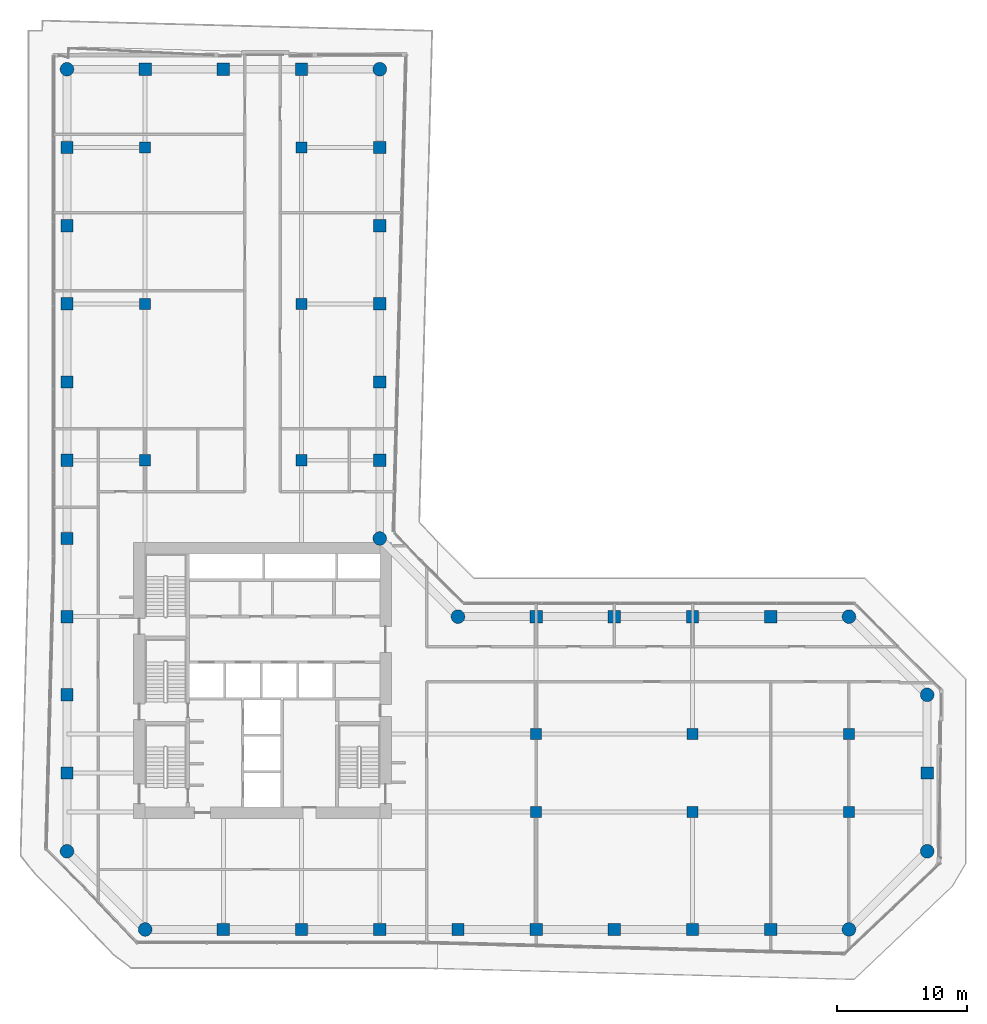
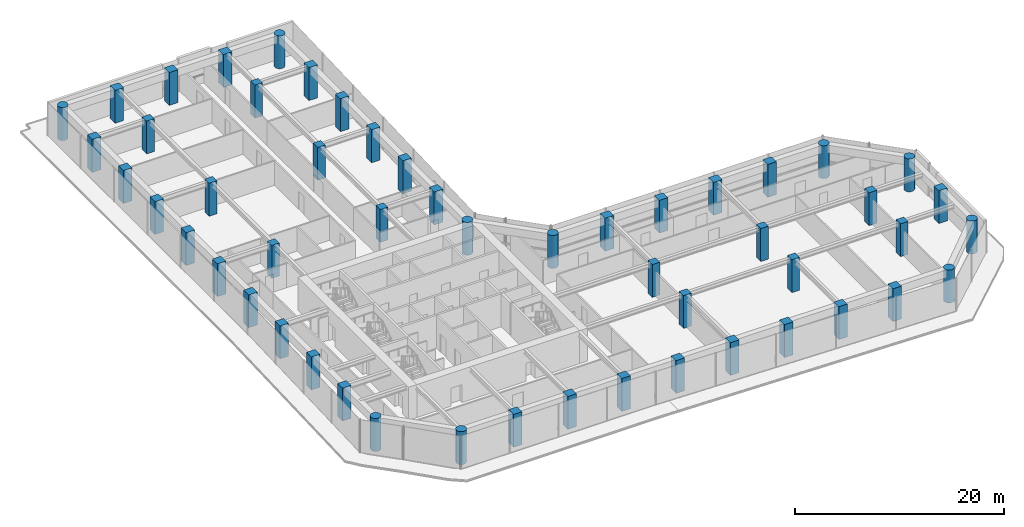
# One storey, part 1 of 28: 52 columns.
"""IFC4 building model written with IfcOpenShell, lengths in metres."""

import ifcopenshell
import ifcopenshell.guid

model = None  # the IFC model being written
_history = None  # IfcOwnerHistory: only IFC2X3 demands one
_inside = {}  # id of a spatial element -> (the spatial element, [elements in it])
_under = {}  # id of a project, library or spatial element -> (it, [spatial elements below it])
_declared = {}  # id of a project -> (the project, [libraries it declares])
_typed = {}  # id of a type object -> (the type object, [elements of that type])
_made_of = {}  # id of a material, layer set ... -> (it, [elements and type objects made of it])


def new_model(schema):
    """Start an empty IFC model of exactly this schema.

    Asked for "IFC4X3", IfcOpenShell would pick the latest addendum, in which some entities
    have other attributes; the version numbers below select the first issue.
    IFC2X3 requires an IfcOwnerHistory on every rooted entity: one is made here for all.
    """
    global model, _history
    if schema == "IFC4X3":
        model = ifcopenshell.file(schema_version=(4, 3, 0, 0))
    else:
        model = ifcopenshell.file(schema=schema)
    _inside.clear()
    _under.clear()
    _declared.clear()
    _typed.clear()
    _made_of.clear()
    _history = None
    if model.schema == "IFC2X3":
        org = make("IfcOrganization", Name="unknown")
        user = make(
            "IfcPersonAndOrganization",
            ThePerson=make("IfcPerson", FamilyName="unknown"),
            TheOrganization=org,
        )
        app = make(
            "IfcApplication",
            ApplicationDeveloper=org,
            Version="unknown",
            ApplicationFullName="unknown",
            ApplicationIdentifier="unknown",
        )
        _history = make(
            "IfcOwnerHistory",
            OwningUser=user,
            OwningApplication=app,
            ChangeAction="ADDED",
            CreationDate=0,
        )
    return model


def make(cls, **values):
    """One entity of the class cls with the attributes given. An attribute that is None is left unset."""
    return model.create_entity(
        cls, **{name: value for name, value in values.items() if value is not None}
    )


def rooted(cls, **values):
    """An entity with a GlobalId (a new one), such as an element, a storey or a relation."""
    return make(cls, GlobalId=ifcopenshell.guid.new(), OwnerHistory=_history, **values)


def si_unit(unit_type, name, prefix=None):
    """IfcSIUnit, for example si_unit("LENGTHUNIT", "METRE", prefix="MILLI")."""
    return make("IfcSIUnit", UnitType=unit_type, Prefix=prefix, Name=name)


def assignment(units):
    """IfcUnitAssignment: the units of a project."""
    return None if units is None else make("IfcUnitAssignment", Units=units)


def point(xyz):
    """IfcCartesianPoint."""
    return None if xyz is None else make("IfcCartesianPoint", Coordinates=xyz)


def direction(xyz):
    """IfcDirection."""
    return None if xyz is None else make("IfcDirection", DirectionRatios=xyz)


def frame(location, z_axis=None, x_axis=None):
    """IfcAxis2Placement3D, a coordinate frame: its origin and axes. An axis left out is left unset."""
    return make(
        "IfcAxis2Placement3D",
        Location=point(location),
        Axis=direction(z_axis),
        RefDirection=direction(x_axis),
    )


def frame_2d(location, x_axis=None):
    """IfcAxis2Placement2D, a coordinate frame in the plane: its origin and x axis."""
    return make(
        "IfcAxis2Placement2D", Location=point(location), RefDirection=direction(x_axis)
    )


def origin():
    """The frame at (0, 0, 0) with its axes left unset."""
    return frame((0.0, 0.0, 0.0))


def origin_2d():
    """The frame at (0, 0) in the plane with its x axis left unset."""
    return frame_2d((0.0, 0.0))


def place(relative_to, where):
    """IfcLocalPlacement: puts the frame where relative to a parent placement (None: the world)."""
    return make(
        "IfcLocalPlacement", PlacementRelTo=relative_to, RelativePlacement=where
    )


def context(
    kind, dimensions, precision=None, world=None, true_north=None, identifier=None
):
    """IfcGeometricRepresentationContext, for example the 3D "Model" context."""
    return make(
        "IfcGeometricRepresentationContext",
        ContextIdentifier=identifier,
        ContextType=kind,
        CoordinateSpaceDimension=dimensions,
        Precision=precision,
        WorldCoordinateSystem=world,
        TrueNorth=true_north,
    )


def subcontext(parent, identifier, kind, view, scale=None):
    """IfcGeometricRepresentationSubContext, for example "Body" below "Model"."""
    return make(
        "IfcGeometricRepresentationSubContext",
        ContextIdentifier=identifier,
        ContextType=kind,
        ParentContext=parent,
        TargetScale=scale,
        TargetView=view,
    )


def project(units=None, contexts=None):
    """IfcProject with its units and contexts."""
    return rooted(
        "IfcProject",
        Name="project",
        RepresentationContexts=contexts,
        UnitsInContext=assignment(units),
    )


def spatial(cls, under=None, at=None, **own):
    """A site, building, storey or space (cls), placed at a placement, below another one or the project."""
    s = rooted(cls, ObjectPlacement=at, **own)
    if under is not None:
        _under.setdefault(under.id(), (under, []))[1].append(s)
    return s


def profile(cls, at=None, kind="AREA", **sizes):
    """A parametric profile (cls). Its sizes go by their IFC names, for example OverallWidth=200.0."""
    return make(cls, ProfileType=kind, Position=at, **sizes)


def rectangle(**sizes):
    """IfcRectangleProfileDef."""
    return profile("IfcRectangleProfileDef", **sizes)


def circle(**sizes):
    """IfcCircleProfileDef."""
    return profile("IfcCircleProfileDef", **sizes)


def extrude(swept, where, along, depth):
    """IfcExtrudedAreaSolid: the profile swept, set in the frame where, extruded along a direction by depth."""
    return make(
        "IfcExtrudedAreaSolid",
        SweptArea=swept,
        Position=where,
        ExtrudedDirection=direction(along),
        Depth=depth,
    )


def shape(context_of_items, identifier, shape_type, items):
    """IfcShapeRepresentation: the items that make up one representation, for example the "Body"."""
    return make(
        "IfcShapeRepresentation",
        ContextOfItems=context_of_items,
        RepresentationIdentifier=identifier,
        RepresentationType=shape_type,
        Items=items,
    )


def material(Name=None, Category=None):
    """IfcMaterial."""
    return make("IfcMaterial", Name=Name, Category=Category)


def material_profile(
    of_material, cross_section, Name=None, Category=None, Priority=None
):
    """IfcMaterialProfile: a cross section and its material."""
    return make(
        "IfcMaterialProfile",
        Name=Name,
        Material=of_material,
        Profile=cross_section,
        Priority=Priority,
        Category=Category,
    )


def profile_set(profiles, Name=None, composite=None):
    """IfcMaterialProfileSet."""
    return make(
        "IfcMaterialProfileSet",
        Name=Name,
        MaterialProfiles=profiles,
        CompositeProfile=composite,
    )


def made_of(thing, what):
    """Note that an element or type object is made of a material, layer set ...; save() writes the relation."""
    if what is not None:
        _made_of.setdefault(what.id(), (what, []))[1].append(thing)
    return thing


def type_object(cls, material=None, **own):
    """A type object (cls), such as IfcWallType, which elements share."""
    return made_of(rooted(cls, **own), material)


def element(
    cls,
    number,
    at=None,
    inside=None,
    cuts=None,
    type_object=None,
    material=None,
    context=None,
    identifier="Body",
    shape_type=None,
    held_by="IfcProductDefinitionShape",
    body=None,
    shapes=None,
    **own,
):
    """One element of the class cls, such as IfcWall. Its Tag is "e" and its number.

    at: its placement. inside: the storey or other place that contains it. cuts: it is an
    opening in that element (IfcRelVoidsElement). A single representation is given by context,
    identifier, shape_type and body (its items); several are given by shapes. held_by: the class
    of the entity that holds the representations. save() writes the other relations.
    """
    e = rooted(cls, Tag="e%d" % number, ObjectPlacement=at, **own)
    if body is not None:
        shapes = [shape(context, identifier, shape_type, body)]
    if shapes is not None:
        e.Representation = make(held_by, Representations=shapes)
    if inside is not None:
        _inside.setdefault(inside.id(), (inside, []))[1].append(e)
    if cuts is not None:
        rooted(
            "IfcRelVoidsElement", RelatingBuildingElement=cuts, RelatedOpeningElement=e
        )
    if type_object is not None:
        _typed.setdefault(type_object.id(), (type_object, []))[1].append(e)
    return made_of(e, material)


def aggregate(whole, parts):
    """IfcRelAggregates: a whole, such as a stair, and the parts it consists of."""
    return rooted("IfcRelAggregates", RelatingObject=whole, RelatedObjects=parts)


def save(model, path):
    """Write the relations noted so far, then the file.

    IfcRelAggregates (storeys below a building ...), IfcRelContainedInSpatialStructure (elements
    in a storey), IfcRelDefinesByType, IfcRelAssociatesMaterial and IfcRelDeclares: one each for
    every whole, place, type object, material and project.
    """
    for whole, parts in _under.values():
        aggregate(whole, parts)
    for where, things in _inside.values():
        rooted(
            "IfcRelContainedInSpatialStructure",
            RelatedElements=things,
            RelatingStructure=where,
        )
    for kind, things in _typed.values():
        rooted("IfcRelDefinesByType", RelatedObjects=things, RelatingType=kind)
    for what, things in _made_of.values():
        rooted("IfcRelAssociatesMaterial", RelatedObjects=things, RelatingMaterial=what)
    for by, libraries in _declared.values():
        rooted("IfcRelDeclares", RelatingContext=by, RelatedDefinitions=libraries)
    model.write(path)


model = new_model("IFC4")

# Units and contexts
model_context = context("Model", 3, precision=1e-05, world=origin(), true_north=direction((0.0, 1.0)))
body_context = subcontext(model_context, "Body", "Model", "MODEL_VIEW")
ifc_project = project(units=[si_unit("LENGTHUNIT", "METRE"), si_unit("AREAUNIT", "SQUARE_METRE"), si_unit("VOLUMEUNIT", "CUBIC_METRE"), si_unit("PLANEANGLEUNIT", "RADIAN"), si_unit("MASSUNIT", "GRAM", prefix="KILO")], contexts=[model_context])

# Site, building, storey
site_placement = place(None, origin())
site = spatial("IfcSite", under=ifc_project, at=site_placement, CompositionType="ELEMENT")
building_placement = place(site_placement, origin())
building = spatial("IfcBuilding", under=site, at=building_placement, Name="Welwitschia Terrace Campus", CompositionType="ELEMENT")
storey_placement = place(building_placement, frame((0.0, 0.0, 45.800048828125)))
storey = spatial("IfcBuildingStorey", under=building, at=storey_placement, Name="L10", CompositionType="ELEMENT", Elevation=45.800048828125)

# Columns
ifc_material_1 = material(Name="Concrete C60/75", Category="concrete")
ifc_material_profile_1 = material_profile(ifc_material_1, circle(Radius=0.52490234375, at=origin_2d()))
ifc_profile_set_1 = profile_set([ifc_material_profile_1], Name="Concrete C60/75")
column_type_1 = type_object("IfcColumnType", Name="Corner column 1050 dia", PredefinedType="COLUMN", material=ifc_profile_set_1)
for number, where, z_axis, x_axis, name in (
    (1, (0.0, 2.0, 0.0), (0.0, 0.0, 1.0), (1.0, 0.0, 0.0), "Column C5"),
    (2, (0.0, 62.0, 0.0), (0.0, 0.0, 1.0), (1.0, 0.0, 0.0), "Column C5"),
    (3, (6.0, -4.0, 0.0), (0.0, 0.0, 1.0), (1.0, 0.0, 0.0), "Column C5"),
    (4, (24.0, 26.0, 0.0), (0.0, 0.0, 1.0), (1.0, 0.0, 0.0), "Column C5"),
    (5, (24.0, 62.0, 0.0), (0.0, 0.0, 1.0), (1.0, 0.0, 0.0), "Column C5"),
    (6, (30.0, 20.0, 0.0), (0.0, 0.0, 1.0), (1.0, 0.0, 0.0), "Column C5"),
    (7, (60.0, -4.0, 0.0), (0.0, 0.0, 1.0), (1.0, 0.0, 0.0), "Column C5"),
    (8, (60.0, 20.0, 0.0), (0.0, 0.0, 1.0), (1.0, 0.0, 0.0), "Column C5"),
    (9, (66.0, 2.0, 0.0), (0.0, 0.0, 1.0), (1.0, 0.0, 0.0), "Column C5"),
    (10, (66.0, 14.0, 0.0), (0.0, 0.0, 1.0), (1.0, 0.0, 0.0), "Column C5"),
):
    element("IfcColumn", number, at=place(storey_placement, frame(where, z_axis=z_axis, x_axis=x_axis)), inside=storey, type_object=column_type_1, Name=name, PredefinedType="COLUMN", context=body_context, shape_type="SweptSolid", body=[
        extrude(circle(Radius=0.52490234375, at=origin_2d()), origin(), (0.0, 0.0, 1.0), 3.849853515625),
    ])
ifc_material_2 = material(Name="Concrete C60/75", Category="concrete")
ifc_material_profile_2 = material_profile(ifc_material_2, rectangle(XDim=0.85009765625, YDim=0.85009765625, at=origin_2d()))
ifc_profile_set_2 = profile_set([ifc_material_profile_2], Name="Concrete C60/75")
column_type_2 = type_object("IfcColumnType", Name="Interior column 850x850", PredefinedType="COLUMN", material=ifc_profile_set_2)
for number, where, z_axis, x_axis, name in (
    (11, (6.0, 32.0, 0.0), (0.0, 0.0, 1.0), (1.0, 0.0, 0.0), "Column C7"),
    (12, (6.0, 44.0, 0.0), (0.0, 0.0, 1.0), (1.0, 0.0, 0.0), "Column C7"),
    (13, (6.0, 56.0, 0.0), (0.0, 0.0, 1.0), (1.0, 0.0, 0.0), "Column C7"),
    (14, (18.0, 32.0, 0.0), (0.0, 0.0, 1.0), (1.0, 0.0, 0.0), "Column C7"),
    (15, (18.0, 44.0, 0.0), (0.0, 0.0, 1.0), (1.0, 0.0, 0.0), "Column C7"),
    (16, (18.0, 56.0, 0.0), (0.0, 0.0, 1.0), (1.0, 0.0, 0.0), "Column C7"),
    (17, (36.0, 5.0, 0.0), (0.0, 0.0, 1.0), (1.0, 0.0, 0.0), "Column C7"),
    (18, (36.0, 11.0, 0.0), (0.0, 0.0, 1.0), (1.0, 0.0, 0.0), "Column C7"),
    (19, (48.0, 5.0, 0.0), (0.0, 0.0, 1.0), (1.0, 0.0, 0.0), "Column C7"),
    (20, (48.0, 11.0, 0.0), (0.0, 0.0, 1.0), (1.0, 0.0, 0.0), "Column C7"),
    (21, (60.0, 5.0, 0.0), (0.0, 0.0, 1.0), (1.0, 0.0, 0.0), "Column C7"),
    (22, (60.0, 11.0, 0.0), (0.0, 0.0, 1.0), (1.0, 0.0, 0.0), "Column C7"),
):
    element("IfcColumn", number, at=place(storey_placement, frame(where, z_axis=z_axis, x_axis=x_axis)), inside=storey, type_object=column_type_2, Name=name, PredefinedType="COLUMN", context=body_context, shape_type="SweptSolid", body=[
        extrude(rectangle(XDim=0.85009765625, YDim=0.85009765625, at=origin_2d()), origin(), (0.0, 0.0, 1.0), 3.849853515625),
    ])
ifc_material_3 = material(Name="Concrete C60/75", Category="concrete")
ifc_material_profile_3 = material_profile(ifc_material_3, rectangle(XDim=0.949951171875, YDim=0.949951171875, at=origin_2d()))
ifc_profile_set_3 = profile_set([ifc_material_profile_3], Name="Concrete C60/75")
column_type_3 = type_object("IfcColumnType", Name="Ring column 950x950", PredefinedType="COLUMN", material=ifc_profile_set_3)
for number, where, z_axis, x_axis, name in (
    (23, (0.0, 8.0, 0.0), (0.0, 0.0, 1.0), (1.0, 0.0, 0.0), "Column C6"),
    (24, (0.0, 14.0, 0.0), (0.0, 0.0, 1.0), (1.0, 0.0, 0.0), "Column C6"),
    (25, (0.0, 20.0, 0.0), (0.0, 0.0, 1.0), (1.0, 0.0, 0.0), "Column C6"),
    (26, (0.0, 26.0, 0.0), (0.0, 0.0, 1.0), (1.0, 0.0, 0.0), "Column C6"),
    (27, (0.0, 32.0, 0.0), (0.0, 0.0, 1.0), (1.0, 0.0, 0.0), "Column C6"),
    (28, (0.0, 38.0, 0.0), (0.0, 0.0, 1.0), (1.0, 0.0, 0.0), "Column C6"),
    (29, (0.0, 44.0, 0.0), (0.0, 0.0, 1.0), (1.0, 0.0, 0.0), "Column C6"),
    (30, (0.0, 50.0, 0.0), (0.0, 0.0, 1.0), (1.0, 0.0, 0.0), "Column C6"),
    (31, (0.0, 56.0, 0.0), (0.0, 0.0, 1.0), (1.0, 0.0, 0.0), "Column C6"),
    (32, (6.0, 62.0, 0.0), (0.0, 0.0, 1.0), (1.0, 0.0, 0.0), "Column C6"),
    (33, (12.0, -4.0, 0.0), (0.0, 0.0, 1.0), (1.0, 0.0, 0.0), "Column C6"),
    (34, (12.0, 62.0, 0.0), (0.0, 0.0, 1.0), (1.0, 0.0, 0.0), "Column C6"),
    (35, (18.0, -4.0, 0.0), (0.0, 0.0, 1.0), (1.0, 0.0, 0.0), "Column C6"),
    (36, (18.0, 62.0, 0.0), (0.0, 0.0, 1.0), (1.0, 0.0, 0.0), "Column C6"),
    (37, (24.0, -4.0, 0.0), (0.0, 0.0, 1.0), (1.0, 0.0, 0.0), "Column C6"),
    (38, (24.0, 32.0, 0.0), (0.0, 0.0, 1.0), (1.0, 0.0, 0.0), "Column C6"),
    (39, (24.0, 38.0, 0.0), (0.0, 0.0, 1.0), (1.0, 0.0, 0.0), "Column C6"),
    (40, (24.0, 44.0, 0.0), (0.0, 0.0, 1.0), (1.0, 0.0, 0.0), "Column C6"),
    (41, (24.0, 50.0, 0.0), (0.0, 0.0, 1.0), (1.0, 0.0, 0.0), "Column C6"),
    (42, (24.0, 56.0, 0.0), (0.0, 0.0, 1.0), (1.0, 0.0, 0.0), "Column C6"),
    (43, (30.0, -4.0, 0.0), (0.0, 0.0, 1.0), (1.0, 0.0, 0.0), "Column C6"),
    (44, (36.0, -4.0, 0.0), (0.0, 0.0, 1.0), (1.0, 0.0, 0.0), "Column C6"),
    (45, (36.0, 20.0, 0.0), (0.0, 0.0, 1.0), (1.0, 0.0, 0.0), "Column C6"),
    (46, (42.0, -4.0, 0.0), (0.0, 0.0, 1.0), (1.0, 0.0, 0.0), "Column C6"),
    (47, (42.0, 20.0, 0.0), (0.0, 0.0, 1.0), (1.0, 0.0, 0.0), "Column C6"),
    (48, (48.0, -4.0, 0.0), (0.0, 0.0, 1.0), (1.0, 0.0, 0.0), "Column C6"),
    (49, (48.0, 20.0, 0.0), (0.0, 0.0, 1.0), (1.0, 0.0, 0.0), "Column C6"),
    (50, (54.0, -4.0, 0.0), (0.0, 0.0, 1.0), (1.0, 0.0, 0.0), "Column C6"),
    (51, (54.0, 20.0, 0.0), (0.0, 0.0, 1.0), (1.0, 0.0, 0.0), "Column C6"),
    (52, (66.0, 8.0, 0.0), (0.0, 0.0, 1.0), (1.0, 0.0, 0.0), "Column C6"),
):
    element("IfcColumn", number, at=place(storey_placement, frame(where, z_axis=z_axis, x_axis=x_axis)), inside=storey, type_object=column_type_3, Name=name, PredefinedType="COLUMN", context=body_context, shape_type="SweptSolid", body=[
        extrude(rectangle(XDim=0.949951171875, YDim=0.949951171875, at=origin_2d()), origin(), (0.0, 0.0, 1.0), 3.849853515625),
    ])

save(model, "model.ifc")
